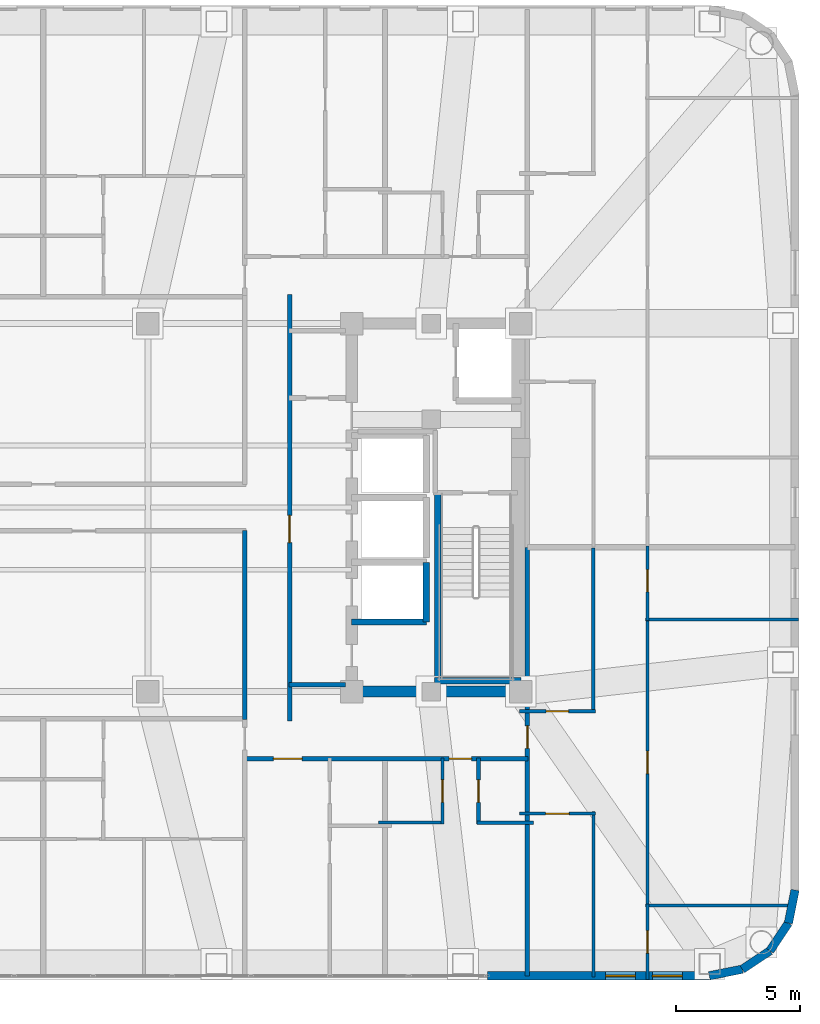
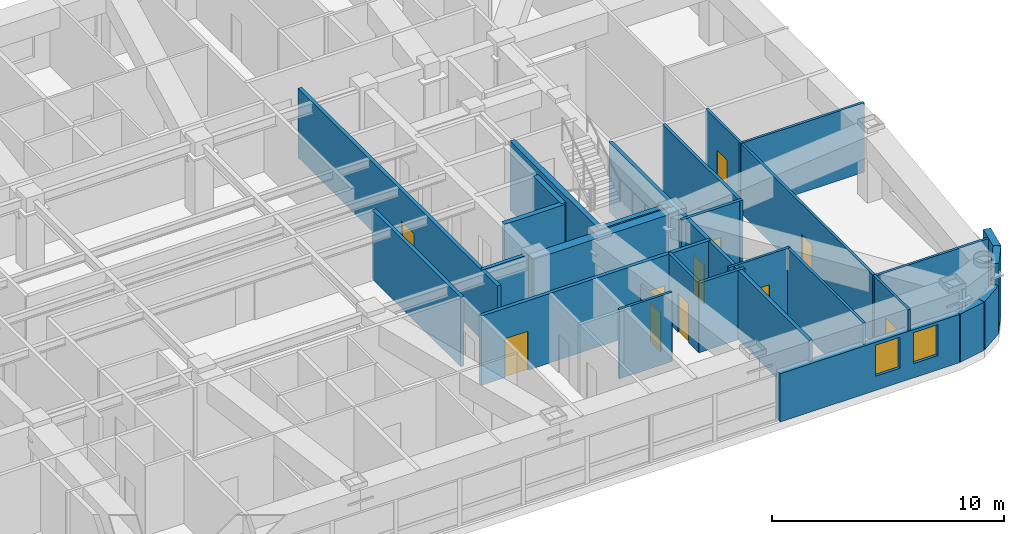
# One storey, part 11 of 16: 28 walls, 11 doors, 2 windows, 13 openings.
"""IFC4 building model written with IfcOpenShell, lengths in metres."""

from ifc_helpers import new_model, si_unit, direction, frame, frame_2d, origin, place, context, subcontext, project, spatial, rectangle, extrude, material, layer, layer_set, type_object, element, fill, save


model = new_model("IFC4")

# Units and contexts
model_context = context("Model", 3, precision=1e-05, world=origin(), true_north=direction((0.0, 1.0)))
body_context = subcontext(model_context, "Body", "Model", "MODEL_VIEW")
ifc_project = project(units=[si_unit("LENGTHUNIT", "METRE"), si_unit("AREAUNIT", "SQUARE_METRE"), si_unit("VOLUMEUNIT", "CUBIC_METRE"), si_unit("PLANEANGLEUNIT", "RADIAN"), si_unit("MASSUNIT", "GRAM", prefix="KILO")], contexts=[model_context])

# Site, building, storey
site_placement = place(None, origin())
site = spatial("IfcSite", under=ifc_project, at=site_placement, CompositionType="ELEMENT")
building_placement = place(site_placement, origin())
building = spatial("IfcBuilding", under=site, at=building_placement, Name="Voryun Gate Residences", CompositionType="ELEMENT")
storey_placement = place(building_placement, frame((0.0, 0.0, 200.199951171875)))
storey = spatial("IfcBuildingStorey", under=building, at=storey_placement, Name="L49", CompositionType="ELEMENT", Elevation=200.199951171875)

# Walls
ifc_material_1 = material(Name="Concrete C50/60", Category="concrete")
ifc_layer_1 = layer(ifc_material_1, 0.449951171875, Name="CW_CORE_450")
ifc_layer_set_1 = layer_set([ifc_layer_1], Name="Concrete C50/60")
wall_type_1 = type_object("IfcWallType", Name="CW_CORE_450", PredefinedType="SHEAR", material=ifc_layer_set_1)
wall_1_placement = place(storey_placement, frame((12.175048828125, -7.39990234375, 0.0), z_axis=(0.0, 0.0, 1.0), x_axis=(1.0, 0.0, 0.0)))
element("IfcWall", 1, at=wall_1_placement, inside=storey, type_object=wall_type_1, Name="L49 Core shear wall CW-L49-ES", PredefinedType="SHEAR", context=body_context, shape_type="SweptSolid", body=[
    extrude(rectangle(XDim=7.25, YDim=0.449951171875, at=frame_2d((3.625, 0.0))), origin(), (0.0, 0.0, 1.0), 3.650146484375),
])
ifc_material_2 = material(Name="Gypsum acoustic fireboard")
ifc_layer_2 = layer(ifc_material_2, 0.179931640625, Name="W_CORR_RATED_180")
ifc_layer_set_2 = layer_set([ifc_layer_2], Name="Gypsum acoustic fireboard")
wall_type_2 = type_object("IfcWallType", Name="W_CORR_RATED_180", PredefinedType="PARTITIONING", material=ifc_layer_set_2)
wall_2_placement = place(storey_placement, frame((9.8798828125, -7.1201171875, 0.0), z_axis=(0.0, 0.0, 1.0), x_axis=(1.0, 0.0, 0.0)))
element("IfcWall", 2, at=wall_2_placement, inside=storey, type_object=wall_type_2, Name="Partition wall WP-L49-PLBS-E", PredefinedType="PARTITIONING", context=body_context, shape_type="SweptSolid", body=[
    extrude(rectangle(XDim=2.27001953125, YDim=0.179931640625, at=frame_2d((1.135009765625, 0.0))), origin(), (0.0, 0.0, 1.0), 3.650146484375),
])

# Wall, opening, door
wall_3_placement = place(storey_placement, frame((9.89990234375, -8.580078125, 0.0), z_axis=(0.0, 0.0, 1.0), x_axis=(0.0, 1.0, 0.0)))
wall_3 = element("IfcWall", 3, at=wall_3_placement, inside=storey, type_object=wall_type_2, Name="Partition wall WP-L49-PLBE-FULL", PredefinedType="PARTITIONING", context=body_context, shape_type="SweptSolid", body=[
    extrude(rectangle(XDim=17.16015625, YDim=0.179931640625, at=frame_2d((8.580078125, 0.0))), origin(), (0.0, 0.0, 1.0), 3.650146484375),
])
opening_1_placement = place(wall_3_placement, frame((7.172119140625, 0.0, 0.0)))
opening_1 = element("IfcOpeningElement", 4, at=opening_1_placement, cuts=wall_3, Name="Opening D-FD60-2", PredefinedType="OPENING", context=body_context, shape_type="SweptSolid", body=[
    extrude(rectangle(XDim=1.10009765625, YDim=2.050048828125, at=frame_2d((0.550048828125, 1.02490234375))), frame((0.0, 0.099853515625, 0.0), z_axis=(0.0, -1.0, 0.0), x_axis=(1.0, 0.0, 0.0)), (0.0, 0.0, 1.0), 0.199951171875),
])
ifc_material_3 = material(Name="Painted steel fire door", Category="steel")
door_type_1 = type_object("IfcDoorType", Name="DR_FD60_FFLOB_1100", OperationType="NOTDEFINED", PredefinedType="DOOR", material=ifc_material_3)
door_1_placement = place(opening_1_placement, origin())
door_1 = element("IfcDoor", 5, at=door_1_placement, inside=storey, type_object=door_type_1, Name="Door DR-L49-PLBE-COR", OperationType="SINGLE_SWING_RIGHT", OverallHeight=2.050048828125, OverallWidth=1.10009765625, PredefinedType="DOOR", context=body_context, shape_type="SweptSolid", body=[
    extrude(rectangle(XDim=1.10009765625, YDim=2.050048828125, at=frame_2d((0.550048828125, 1.02490234375))), frame((0.0, 0.02490234375, 0.0), z_axis=(0.0, -1.0, 0.0), x_axis=(1.0, 0.0, 0.0)), (0.0, 0.0, 1.0), 0.050048828125),
])
fill(opening_1, door_1)

# Wall
wall_4_placement = place(storey_placement, frame((8.10009765625, -8.530029296875, 0.0), z_axis=(0.0, 0.0, 1.0), x_axis=(0.0, 1.0, 0.0)))
element("IfcWall", 6, at=wall_4_placement, inside=storey, type_object=wall_type_2, Name="Partition wall WP-L49-Z2ER2", PredefinedType="PARTITIONING", context=body_context, shape_type="SweptSolid", body=[
    extrude(rectangle(XDim=7.610107421875, YDim=0.179931640625, at=frame_2d((3.80517578125, 0.0))), origin(), (0.0, 0.0, 1.0), 3.650146484375),
])

# Wall, openings, doors
wall_5_placement = place(storey_placement, frame((8.080078125, -10.10009765625, 0.0), z_axis=(0.0, 0.0, 1.0), x_axis=(1.0, 0.0, 0.0)))
wall_5 = element("IfcWall", 7, at=wall_5_placement, inside=storey, type_object=wall_type_2, Name="Partition wall WP-L49-SCORR-E", PredefinedType="PARTITIONING", context=body_context, shape_type="SweptSolid", body=[
    extrude(rectangle(XDim=11.419921875, YDim=0.179931640625, at=frame_2d((5.7099609375, 0.0))), origin(), (0.0, 0.0, 1.0), 3.650146484375),
])
opening_2_placement = place(wall_5_placement, frame((1.174560546875, 0.0, 0.0)))
opening_2 = element("IfcOpeningElement", 8, at=opening_2_placement, cuts=wall_5, Name="Opening D-UNIT-1", PredefinedType="OPENING", context=body_context, shape_type="SweptSolid", body=[
    extrude(rectangle(XDim=1.14990234375, YDim=2.050048828125, at=frame_2d((0.574951171875, 1.02490234375))), frame((0.0, 0.099853515625, 0.0), z_axis=(0.0, -1.0, 0.0), x_axis=(1.0, 0.0, 0.0)), (0.0, 0.0, 1.0), 0.199951171875),
])
opening_3_placement = place(wall_5_placement, frame((8.242919921875, 0.0, 0.0)))
opening_3 = element("IfcOpeningElement", 9, at=opening_3_placement, cuts=wall_5, Name="Opening D-INT-2", PredefinedType="OPENING", context=body_context, shape_type="SweptSolid", body=[
    extrude(rectangle(XDim=0.89990234375, YDim=2.050048828125, at=frame_2d((0.449951171875, 1.02490234375))), frame((0.0, 0.099853515625, 0.0), z_axis=(0.0, -1.0, 0.0), x_axis=(1.0, 0.0, 0.0)), (0.0, 0.0, 1.0), 0.199951171875),
])
ifc_material_4 = material(Name="Architectural oak veneer")
door_type_2 = type_object("IfcDoorType", Name="DR_INT_BATH_900", OperationType="NOTDEFINED", PredefinedType="DOOR", material=ifc_material_4)
door_2_placement = place(opening_3_placement, origin())
door_2 = element("IfcDoor", 10, at=door_2_placement, inside=storey, type_object=door_type_2, Name="Door DR-L49-SENT-5", OperationType="SINGLE_SWING_RIGHT", OverallHeight=2.050048828125, OverallWidth=0.89990234375, PredefinedType="DOOR", context=body_context, shape_type="SweptSolid", body=[
    extrude(rectangle(XDim=0.89990234375, YDim=2.050048828125, at=frame_2d((0.449951171875, 1.02490234375))), frame((0.0, 0.02490234375, 0.0), z_axis=(0.0, -1.0, 0.0), x_axis=(1.0, 0.0, 0.0)), (0.0, 0.0, 1.0), 0.050048828125),
])
fill(opening_3, door_2)
ifc_material_5 = material(Name="Armoured timber-clad fire door", Category="wood")
door_type_3 = type_object("IfcDoorType", Name="DR_UNIT_ENTRY_1150", OperationType="NOTDEFINED", PredefinedType="DOOR", material=ifc_material_5)
door_3_placement = place(opening_2_placement, origin())
door_3 = element("IfcDoor", 11, at=door_3_placement, inside=storey, type_object=door_type_3, Name="Door DR-L49-SENT-4", OperationType="SINGLE_SWING_LEFT", OverallHeight=2.050048828125, OverallWidth=1.14990234375, PredefinedType="DOOR", context=body_context, shape_type="SweptSolid", body=[
    extrude(rectangle(XDim=1.14990234375, YDim=2.050048828125, at=frame_2d((0.574951171875, 1.02490234375))), frame((0.0, 0.02490234375, 0.0), z_axis=(0.0, -1.0, 0.0), x_axis=(1.0, 0.0, 0.0)), (0.0, 0.0, 1.0), 0.050048828125),
])
fill(opening_2, door_3)

# Wall, opening, door
wall_6_placement = place(storey_placement, frame((19.469970703125, -18.830078125, 0.0), z_axis=(0.0, 0.0, 1.0), x_axis=(0.0, 1.0, 0.0)))
wall_6 = element("IfcWall", 12, at=wall_6_placement, inside=storey, type_object=wall_type_2, Name="Partition wall WP-L49-ECOR1", PredefinedType="PARTITIONING", context=body_context, shape_type="SweptSolid", body=[
    extrude(rectangle(XDim=17.22998046875, YDim=0.179931640625, at=frame_2d((8.614990234375, 0.0))), origin(), (0.0, 0.0, 1.0), 3.650146484375),
])
opening_4_placement = place(wall_6_placement, frame((9.150634765625, 0.0, 0.0)))
opening_4 = element("IfcOpeningElement", 13, at=opening_4_placement, cuts=wall_6, Name="Opening D-INT-2", PredefinedType="OPENING", context=body_context, shape_type="SweptSolid", body=[
    extrude(rectangle(XDim=0.89990234375, YDim=2.050048828125, at=frame_2d((0.449951171875, 1.02490234375))), frame((0.0, 0.099853515625, 0.0), z_axis=(0.0, -1.0, 0.0), x_axis=(1.0, 0.0, 0.0)), (0.0, 0.0, 1.0), 0.199951171875),
])
door_4_placement = place(opening_4_placement, origin())
door_4 = element("IfcDoor", 14, at=door_4_placement, inside=storey, type_object=door_type_2, Name="Door DR-L49-EE1", OperationType="SINGLE_SWING_LEFT", OverallHeight=2.050048828125, OverallWidth=0.89990234375, PredefinedType="DOOR", context=body_context, shape_type="SweptSolid", body=[
    extrude(rectangle(XDim=0.89990234375, YDim=2.050048828125, at=frame_2d((0.449951171875, 1.02490234375))), frame((0.0, 0.02490234375, 0.0), z_axis=(0.0, -1.0, 0.0), x_axis=(1.0, 0.0, 0.0)), (0.0, 0.0, 1.0), 0.050048828125),
])
fill(opening_4, door_4)

# Wall, openings, windows
ifc_material_6 = material(Name="Charcoal terracotta masonry", Category="masonry")
ifc_layer_3 = layer(ifc_material_6, 0.340087890625, Name="W_EXT_TERRACOTTA_340")
ifc_layer_set_3 = layer_set([ifc_layer_3], Name="Charcoal terracotta masonry")
wall_type_3 = type_object("IfcWallType", Name="W_EXT_TERRACOTTA_340", PredefinedType="ELEMENTEDWALL", material=ifc_layer_set_3)
wall_7_placement = place(storey_placement, frame((26.783203125, -18.830078125, 0.0), z_axis=(0.0, 0.0, 1.0), x_axis=(-1.0, 0.0, 0.0)))
wall_7 = element("IfcWall", 15, at=wall_7_placement, inside=storey, type_object=wall_type_3, Name="Exterior wall WEXT-L49-01A", PredefinedType="ELEMENTEDWALL", context=body_context, shape_type="SweptSolid", body=[
    extrude(rectangle(XDim=8.921875, YDim=0.340087890625, at=frame_2d((4.4609375, 0.0))), origin(), (0.0, 0.0, 1.0), 2.5400390625),
])
opening_5_placement = place(wall_7_placement, frame((2.973388671875, 0.0, 0.75)))
opening_5 = element("IfcOpeningElement", 16, at=opening_5_placement, cuts=wall_7, Name="Opening WN6", PredefinedType="OPENING", context=body_context, shape_type="SweptSolid", body=[
    extrude(rectangle(XDim=1.199951171875, YDim=1.6298828125, at=frame_2d((0.60009765625, 0.81494140625))), frame((0.0, 0.179931640625, 0.0), z_axis=(0.0, -1.0, 0.0), x_axis=(1.0, 0.0, 0.0)), (0.0, 0.0, 1.0), 0.360107421875),
])
opening_6_placement = place(wall_7_placement, frame((1.086669921875, 0.0, 0.75)))
opening_6 = element("IfcOpeningElement", 17, at=opening_6_placement, cuts=wall_7, Name="Opening WN6", PredefinedType="OPENING", context=body_context, shape_type="SweptSolid", body=[
    extrude(rectangle(XDim=1.199951171875, YDim=1.6298828125, at=frame_2d((0.60009765625, 0.81494140625))), frame((0.0, 0.179931640625, 0.0), z_axis=(0.0, -1.0, 0.0), x_axis=(1.0, 0.0, 0.0)), (0.0, 0.0, 1.0), 0.360107421875),
])
ifc_material_7 = material(Name="Laminated low-E glass", Category="glass")
window_type = type_object("IfcWindowType", Name="WN_POD_SLOT_1200", PartitioningType="SINGLE_PANEL", PredefinedType="WINDOW", material=ifc_material_7)
window_1_placement = place(opening_5_placement, origin())
window_1 = element("IfcWindow", 18, at=window_1_placement, inside=storey, type_object=window_type, Name="Window WN-L49-DWFIX-11", OverallHeight=1.6298828125, OverallWidth=1.199951171875, PartitioningType="SINGLE_PANEL", PredefinedType="WINDOW", context=body_context, shape_type="SweptSolid", body=[
    extrude(rectangle(XDim=1.199951171875, YDim=1.6298828125, at=frame_2d((0.60009765625, 0.81494140625))), frame((0.0, 0.030029296875, 0.0), z_axis=(0.0, -1.0, 0.0), x_axis=(1.0, 0.0, 0.0)), (0.0, 0.0, 1.0), 0.06005859375),
])
fill(opening_5, window_1)
window_2_placement = place(opening_6_placement, origin())
window_2 = element("IfcWindow", 19, at=window_2_placement, inside=storey, type_object=window_type, Name="Window WN-L49-DWFIX-13", OverallHeight=1.6298828125, OverallWidth=1.199951171875, PartitioningType="SINGLE_PANEL", PredefinedType="WINDOW", context=body_context, shape_type="SweptSolid", body=[
    extrude(rectangle(XDim=1.199951171875, YDim=1.6298828125, at=frame_2d((0.60009765625, 0.81494140625))), frame((0.0, 0.030029296875, 0.0), z_axis=(0.0, -1.0, 0.0), x_axis=(1.0, 0.0, 0.0)), (0.0, 0.0, 1.0), 0.06005859375),
])
fill(opening_6, window_2)

# Walls
wall_8_placement = place(storey_placement, frame((30.22998046875, -15.38330078125, 0.0), z_axis=(0.0, 0.0, 1.0), x_axis=(-0.195110379894, -0.98078129043, 0.0)))
element("IfcWall", 20, at=wall_8_placement, inside=storey, type_object=wall_type_3, Name="Exterior wall WEXT-L49-17", PredefinedType="ELEMENTEDWALL", context=body_context, shape_type="SweptSolid", body=[
    extrude(rectangle(XDim=1.35400390625, YDim=0.340087890625, at=frame_2d((0.677001953125, 0.0))), origin(), (0.0, 0.0, 1.0), 3.650146484375),
])
wall_9_placement = place(storey_placement, frame((29.9658203125, -16.711181640625, 0.0), z_axis=(0.0, 0.0, 1.0), x_axis=(-0.555584683399, -0.831459956686, 0.0)))
element("IfcWall", 21, at=wall_9_placement, inside=storey, type_object=wall_type_3, Name="Exterior wall WEXT-L49-18", PredefinedType="ELEMENTEDWALL", context=body_context, shape_type="SweptSolid", body=[
    extrude(rectangle(XDim=1.337158203125, YDim=0.340087890625, at=frame_2d((0.66845703125, 0.0))), origin(), (0.0, 0.0, 1.0), 3.650146484375),
])
wall_10_placement = place(storey_placement, frame((29.222900390625, -17.822998046875, 0.0), z_axis=(0.0, 0.0, 1.0), x_axis=(-0.831403586725, -0.555669034571, 0.0)))
element("IfcWall", 22, at=wall_10_placement, inside=storey, type_object=wall_type_3, Name="Exterior wall WEXT-L49-19", PredefinedType="ELEMENTEDWALL", context=body_context, shape_type="SweptSolid", body=[
    extrude(rectangle(XDim=1.3369140625, YDim=0.340087890625, at=frame_2d((0.66845703125, 0.0))), origin(), (0.0, 0.0, 1.0), 2.5400390625),
])
wall_11_placement = place(storey_placement, frame((28.111328125, -18.56591796875, 0.0), z_axis=(0.0, 0.0, 1.0), x_axis=(-0.980788153188, -0.195075878998, 0.0)))
element("IfcWall", 23, at=wall_11_placement, inside=storey, type_object=wall_type_3, Name="Exterior wall WEXT-L49-20", PredefinedType="ELEMENTEDWALL", context=body_context, shape_type="SweptSolid", body=[
    extrude(rectangle(XDim=1.354248046875, YDim=0.340087890625, at=frame_2d((0.67724609375, 0.0))), origin(), (0.0, 0.0, 1.0), 2.5400390625),
])
ifc_material_8 = material(Name="Concrete C50/60", Category="concrete")
ifc_layer_4 = layer(ifc_material_8, 0.25, Name="W_SHAFT_RC250")
ifc_layer_set_4 = layer_set([ifc_layer_4], Name="Concrete C50/60")
wall_type_4 = type_object("IfcWallType", Name="W_SHAFT_RC250", PredefinedType="SOLIDWALL", material=ifc_layer_set_4)
wall_12_placement = place(storey_placement, frame((15.860107421875, -7.0849609375, 0.0), z_axis=(0.0, 0.0, 1.0), x_axis=(0.0, 1.0, 0.0)))
element("IfcWall", 24, at=wall_12_placement, inside=storey, type_object=wall_type_4, Name="L49 Stair shaft structural wall E-STL", PredefinedType="SOLIDWALL", context=body_context, shape_type="SweptSolid", body=[
    extrude(rectangle(XDim=7.68505859375, YDim=0.25, at=frame_2d((3.842529296875, 0.0))), origin(), (0.0, 0.0, 1.0), 3.650146484375),
])
wall_13_placement = place(storey_placement, frame((15.739990234375, -6.965087890625, 0.0), z_axis=(0.0, 0.0, 1.0), x_axis=(1.0, 0.0, 0.0)))
element("IfcWall", 25, at=wall_13_placement, inside=storey, type_object=wall_type_4, Name="L49 Stair shaft structural wall E-STS", PredefinedType="SOLIDWALL", context=body_context, shape_type="SweptSolid", body=[
    extrude(rectangle(XDim=3.4599609375, YDim=0.25, at=frame_2d((1.72998046875, 0.0))), origin(), (0.0, 0.0, 1.0), 3.650146484375),
])
wall_14_placement = place(storey_placement, frame((12.39990234375, -4.60009765625, 0.0), z_axis=(0.0, 0.0, 1.0), x_axis=(1.0, 0.0, 0.0)))
element("IfcWall", 26, at=wall_14_placement, inside=storey, type_object=wall_type_4, Name="Lift shaft wall WSH-L49-EL-P5-S", PredefinedType="SOLIDWALL", context=body_context, shape_type="SweptSolid", body=[
    extrude(rectangle(XDim=3.0, YDim=0.25, at=frame_2d((1.5, 0.0))), origin(), (0.0, 0.0, 1.0), 3.650146484375),
])
wall_15_placement = place(storey_placement, frame((15.39990234375, -4.60009765625, 0.0), z_axis=(0.0, 0.0, 1.0), x_axis=(0.0, 1.0, 0.0)))
element("IfcWall", 27, at=wall_15_placement, inside=storey, type_object=wall_type_4, Name="Lift shaft wall WSH-L49-EL-P5-E", PredefinedType="SOLIDWALL", context=body_context, shape_type="SweptSolid", body=[
    extrude(rectangle(XDim=2.400146484375, YDim=0.25, at=frame_2d((1.2001953125, 0.0))), origin(), (0.0, 0.0, 1.0), 3.650146484375),
])

# Wall, opening, door
ifc_material_9 = material(Name="Gypsum acoustic partition")
ifc_layer_5 = layer(ifc_material_9, 0.125, Name="W_UNIT_PART_125")
ifc_layer_set_5 = layer_set([ifc_layer_5], Name="Gypsum acoustic partition")
wall_type_5 = type_object("IfcWallType", Name="W_UNIT_PART_125", PredefinedType="PARTITIONING", material=ifc_layer_set_5)
wall_16_placement = place(storey_placement, frame((16.050048828125, -12.72998046875, 0.0), z_axis=(0.0, 0.0, 1.0), x_axis=(0.0, 1.0, 0.0)))
wall_16 = element("IfcWall", 28, at=wall_16_placement, inside=storey, type_object=wall_type_5, Name="Partition wall WP-L49-S5-CVK", PredefinedType="PARTITIONING", context=body_context, shape_type="SweptSolid", body=[
    extrude(rectangle(XDim=2.64990234375, YDim=0.125, at=frame_2d((1.324951171875, 0.0))), origin(), (0.0, 0.0, 1.0), 2.5400390625),
])
opening_7_placement = place(wall_16_placement, frame((0.875, 0.0, 0.0)))
opening_7 = element("IfcOpeningElement", 29, at=opening_7_placement, cuts=wall_16, Name="Opening D-INT-2", PredefinedType="OPENING", context=body_context, shape_type="SweptSolid", body=[
    extrude(rectangle(XDim=0.89990234375, YDim=2.050048828125, at=frame_2d((0.449951171875, 1.02490234375))), frame((0.0, 0.072509765625, 0.0), z_axis=(0.0, -1.0, 0.0), x_axis=(1.0, 0.0, 0.0)), (0.0, 0.0, 1.0), 0.14501953125),
])
door_5_placement = place(opening_7_placement, origin())
door_5 = element("IfcDoor", 30, at=door_5_placement, inside=storey, type_object=door_type_2, Name="Door DR-L49-S5-DK", OperationType="SINGLE_SWING_LEFT", OverallHeight=2.050048828125, OverallWidth=0.89990234375, PredefinedType="DOOR", context=body_context, shape_type="SweptSolid", body=[
    extrude(rectangle(XDim=0.89990234375, YDim=2.050048828125, at=frame_2d((0.449951171875, 1.02490234375))), frame((0.0, 0.02490234375, 0.0), z_axis=(0.0, -1.0, 0.0), x_axis=(1.0, 0.0, 0.0)), (0.0, 0.0, 1.0), 0.050048828125),
])
fill(opening_7, door_5)

# Walls
wall_17_placement = place(storey_placement, frame((13.47998046875, -12.669921875, 0.0), z_axis=(0.0, 0.0, 1.0), x_axis=(1.0, 0.0, 0.0)))
element("IfcWall", 31, at=wall_17_placement, inside=storey, type_object=wall_type_5, Name="Partition wall WP-L49-S5-CHK", PredefinedType="PARTITIONING", context=body_context, shape_type="SweptSolid", body=[
    extrude(rectangle(XDim=2.630126953125, YDim=0.125, at=frame_2d((1.31494140625, 0.0))), origin(), (0.0, 0.0, 1.0), 3.650146484375),
])
wall_18_placement = place(storey_placement, frame((24.219970703125, -16.0029296875, 0.0), z_axis=(0.0, 0.0, 1.0), x_axis=(1.0, 0.0, 0.0)))
element("IfcWall", 32, at=wall_18_placement, inside=storey, type_object=wall_type_5, Name="Partition wall WP-L49-E1-OH1", PredefinedType="PARTITIONING", context=body_context, shape_type="SweptSolid", body=[
    extrude(rectangle(XDim=6.039794921875, YDim=0.125, at=frame_2d((3.02001953125, 0.0))), origin(), (0.0, 0.0, 1.0), 3.650146484375),
])
wall_19_placement = place(storey_placement, frame((24.219970703125, -4.493896484375, 0.0), z_axis=(0.0, 0.0, 1.0), x_axis=(1.0, 0.0, 0.0)))
element("IfcWall", 33, at=wall_19_placement, inside=storey, type_object=wall_type_5, Name="Partition wall WP-L49-E1-OH2", PredefinedType="PARTITIONING", context=body_context, shape_type="SweptSolid", body=[
    extrude(rectangle(XDim=6.159912109375, YDim=0.125, at=frame_2d((3.080078125, 0.0))), origin(), (0.0, 0.0, 1.0), 3.650146484375),
])

# Wall, opening, door
wall_20_placement = place(storey_placement, frame((24.300048828125, -18.97998046875, 0.0), z_axis=(0.0, 0.0, 1.0), x_axis=(0.0, 1.0, 0.0)))
wall_20 = element("IfcWall", 34, at=wall_20_placement, inside=storey, type_object=wall_type_5, Name="Partition wall WP-L49-E1-OVX1", PredefinedType="PARTITIONING", context=body_context, shape_type="SweptSolid", body=[
    extrude(rectangle(XDim=3.027099609375, YDim=0.125, at=frame_2d((1.513671875, 0.0))), origin(), (0.0, 0.0, 1.0), 3.650146484375),
])
opening_8_placement = place(wall_20_placement, frame((1.0634765625, 0.0, 0.0)))
opening_8 = element("IfcOpeningElement", 35, at=opening_8_placement, cuts=wall_20, Name="Opening D-INT-2", PredefinedType="OPENING", context=body_context, shape_type="SweptSolid", body=[
    extrude(rectangle(XDim=0.89990234375, YDim=2.050048828125, at=frame_2d((0.449951171875, 1.02490234375))), frame((0.0, 0.072509765625, 0.0), z_axis=(0.0, -1.0, 0.0), x_axis=(1.0, 0.0, 0.0)), (0.0, 0.0, 1.0), 0.14501953125),
])
door_6_placement = place(opening_8_placement, origin())
door_6 = element("IfcDoor", 36, at=door_6_placement, inside=storey, type_object=door_type_2, Name="Door DR-L49-E1-DBD2", OperationType="SINGLE_SWING_LEFT", OverallHeight=2.050048828125, OverallWidth=0.89990234375, PredefinedType="DOOR", context=body_context, shape_type="SweptSolid", body=[
    extrude(rectangle(XDim=0.89990234375, YDim=2.050048828125, at=frame_2d((0.449951171875, 1.02490234375))), frame((0.0, 0.02490234375, 0.0), z_axis=(0.0, -1.0, 0.0), x_axis=(1.0, 0.0, 0.0)), (0.0, 0.0, 1.0), 0.050048828125),
])
fill(opening_8, door_6)

wall_21_placement = place(storey_placement, frame((24.300048828125, -16.052978515625, 0.0), z_axis=(0.0, 0.0, 1.0), x_axis=(0.0, 1.0, 0.0)))
wall_21 = element("IfcWall", 37, at=wall_21_placement, inside=storey, type_object=wall_type_5, Name="Partition wall WP-L49-E1-OVX2", PredefinedType="PARTITIONING", context=body_context, shape_type="SweptSolid", body=[
    extrude(rectangle(XDim=11.60888671875, YDim=0.125, at=frame_2d((5.804443359375, 0.0))), origin(), (0.0, 0.0, 1.0), 3.650146484375),
])
opening_9_placement = place(wall_21_placement, frame((5.3544921875, 0.0, 0.0)))
opening_9 = element("IfcOpeningElement", 38, at=opening_9_placement, cuts=wall_21, Name="Opening D-INT-2", PredefinedType="OPENING", context=body_context, shape_type="SweptSolid", body=[
    extrude(rectangle(XDim=0.89990234375, YDim=2.050048828125, at=frame_2d((0.449951171875, 1.02490234375))), frame((0.0, 0.072509765625, 0.0), z_axis=(0.0, -1.0, 0.0), x_axis=(1.0, 0.0, 0.0)), (0.0, 0.0, 1.0), 0.14501953125),
])
door_7_placement = place(opening_9_placement, origin())
door_7 = element("IfcDoor", 39, at=door_7_placement, inside=storey, type_object=door_type_2, Name="Door DR-L49-E1-DSTD", OperationType="SINGLE_SWING_RIGHT", OverallHeight=2.050048828125, OverallWidth=0.89990234375, PredefinedType="DOOR", context=body_context, shape_type="SweptSolid", body=[
    extrude(rectangle(XDim=0.89990234375, YDim=2.050048828125, at=frame_2d((0.449951171875, 1.02490234375))), frame((0.0, 0.02490234375, 0.0), z_axis=(0.0, -1.0, 0.0), x_axis=(1.0, 0.0, 0.0)), (0.0, 0.0, 1.0), 0.050048828125),
])
fill(opening_9, door_7)

wall_22_placement = place(storey_placement, frame((24.300048828125, -4.5439453125, 0.0), z_axis=(0.0, 0.0, 1.0), x_axis=(0.0, 1.0, 0.0)))
wall_22 = element("IfcWall", 40, at=wall_22_placement, inside=storey, type_object=wall_type_5, Name="Partition wall WP-L49-E1-OVX3", PredefinedType="PARTITIONING", context=body_context, shape_type="SweptSolid", body=[
    extrude(rectangle(XDim=3.00634765625, YDim=0.125, at=frame_2d((1.503173828125, 0.0))), origin(), (0.0, 0.0, 1.0), 3.650146484375),
])
opening_10_placement = place(wall_22_placement, frame((1.152099609375, 0.0, 0.0)))
opening_10 = element("IfcOpeningElement", 41, at=opening_10_placement, cuts=wall_22, Name="Opening D-INT-2", PredefinedType="OPENING", context=body_context, shape_type="SweptSolid", body=[
    extrude(rectangle(XDim=0.89990234375, YDim=2.050048828125, at=frame_2d((0.449951171875, 1.02490234375))), frame((0.0, 0.072509765625, 0.0), z_axis=(0.0, -1.0, 0.0), x_axis=(1.0, 0.0, 0.0)), (0.0, 0.0, 1.0), 0.14501953125),
])
door_8_placement = place(opening_10_placement, origin())
door_8 = element("IfcDoor", 42, at=door_8_placement, inside=storey, type_object=door_type_2, Name="Door DR-L49-E1-DMB", OperationType="SINGLE_SWING_LEFT", OverallHeight=2.050048828125, OverallWidth=0.89990234375, PredefinedType="DOOR", context=body_context, shape_type="SweptSolid", body=[
    extrude(rectangle(XDim=0.89990234375, YDim=2.050048828125, at=frame_2d((0.449951171875, 1.02490234375))), frame((0.0, 0.02490234375, 0.0), z_axis=(0.0, -1.0, 0.0), x_axis=(1.0, 0.0, 0.0)), (0.0, 0.0, 1.0), 0.050048828125),
])
fill(opening_10, door_8)

wall_23_placement = place(storey_placement, frame((19.14990234375, -12.31005859375, 0.0), z_axis=(0.0, 0.0, 1.0), x_axis=(1.0, 0.0, 0.0)))
wall_23 = element("IfcWall", 43, at=wall_23_placement, inside=storey, type_object=wall_type_5, Name="Partition wall WP-L49-E1-IKA", PredefinedType="PARTITIONING", context=body_context, shape_type="SweptSolid", body=[
    extrude(rectangle(XDim=3.050048828125, YDim=0.125, at=frame_2d((1.52490234375, 0.0))), origin(), (0.0, 0.0, 1.0), 3.650146484375),
])
opening_11_placement = place(wall_23_placement, frame((1.050048828125, 0.0, 0.0)))
opening_11 = element("IfcOpeningElement", 44, at=opening_11_placement, cuts=wall_23, Name="Opening D-INT-1", PredefinedType="OPENING", context=body_context, shape_type="SweptSolid", body=[
    extrude(rectangle(XDim=0.949951171875, YDim=2.050048828125, at=frame_2d((0.47509765625, 1.02490234375))), frame((0.0, 0.072509765625, 0.0), z_axis=(0.0, -1.0, 0.0), x_axis=(1.0, 0.0, 0.0)), (0.0, 0.0, 1.0), 0.14501953125),
])
ifc_material_10 = material(Name="Architectural oak veneer")
door_type_4 = type_object("IfcDoorType", Name="DR_INT_ROOM_950", OperationType="NOTDEFINED", PredefinedType="DOOR", material=ifc_material_10)
door_9_placement = place(opening_11_placement, origin())
door_9 = element("IfcDoor", 45, at=door_9_placement, inside=storey, type_object=door_type_4, Name="Door DR-L49-E1-DK", OperationType="SINGLE_SWING_LEFT", OverallHeight=2.050048828125, OverallWidth=0.949951171875, PredefinedType="DOOR", context=body_context, shape_type="SweptSolid", body=[
    extrude(rectangle(XDim=0.949951171875, YDim=2.050048828125, at=frame_2d((0.47509765625, 1.02490234375))), frame((0.0, 0.02490234375, 0.0), z_axis=(0.0, -1.0, 0.0), x_axis=(1.0, 0.0, 0.0)), (0.0, 0.0, 1.0), 0.050048828125),
])
fill(opening_11, door_9)

# Wall
wall_24_placement = place(storey_placement, frame((22.1201171875, -18.876708984375, 0.0), z_axis=(0.0, 0.0, 1.0), x_axis=(0.0, 1.0, 0.0)))
element("IfcWall", 46, at=wall_24_placement, inside=storey, type_object=wall_type_5, Name="Partition wall WP-L49-E1-VTA", PredefinedType="PARTITIONING", context=body_context, shape_type="SweptSolid", body=[
    extrude(rectangle(XDim=6.646728515625, YDim=0.125, at=frame_2d((3.3232421875, 0.0))), origin(), (0.0, 0.0, 1.0), 3.650146484375),
])

# Wall, opening, door
ifc_material_11 = material(Name="Gypsum moisture-resistant partition")
ifc_layer_6 = layer(ifc_material_11, 0.14990234375, Name="W_WET_PLUMB_150")
ifc_layer_set_6 = layer_set([ifc_layer_6], Name="Gypsum moisture-resistant partition")
wall_type_6 = type_object("IfcWallType", Name="W_WET_PLUMB_150", PredefinedType="PLUMBINGWALL", material=ifc_layer_set_6)
wall_25_placement = place(storey_placement, frame((17.49609375, -12.72998046875, 0.0), z_axis=(0.0, 0.0, 1.0), x_axis=(0.0, 1.0, 0.0)))
wall_25 = element("IfcWall", 47, at=wall_25_placement, inside=storey, type_object=wall_type_6, Name="Partition wall WP-L49-S5-CVB", PredefinedType="PLUMBINGWALL", context=body_context, shape_type="SweptSolid", body=[
    extrude(rectangle(XDim=2.64990234375, YDim=0.14990234375, at=frame_2d((1.324951171875, 0.0))), origin(), (0.0, 0.0, 1.0), 3.650146484375),
])
opening_12_placement = place(wall_25_placement, frame((0.875, 0.0, 0.0)))
opening_12 = element("IfcOpeningElement", 48, at=opening_12_placement, cuts=wall_25, Name="Opening D-INT-2", PredefinedType="OPENING", context=body_context, shape_type="SweptSolid", body=[
    extrude(rectangle(XDim=0.89990234375, YDim=2.050048828125, at=frame_2d((0.449951171875, 1.02490234375))), frame((0.0, 0.0849609375, 0.0), z_axis=(0.0, -1.0, 0.0), x_axis=(1.0, 0.0, 0.0)), (0.0, 0.0, 1.0), 0.169921875),
])
door_10_placement = place(opening_12_placement, origin())
door_10 = element("IfcDoor", 49, at=door_10_placement, inside=storey, type_object=door_type_2, Name="Door DR-L49-S5-DB", OperationType="SINGLE_SWING_RIGHT", OverallHeight=2.050048828125, OverallWidth=0.89990234375, PredefinedType="DOOR", context=body_context, shape_type="SweptSolid", body=[
    extrude(rectangle(XDim=0.89990234375, YDim=2.050048828125, at=frame_2d((0.449951171875, 1.02490234375))), frame((0.0, 0.02490234375, 0.0), z_axis=(0.0, -1.0, 0.0), x_axis=(1.0, 0.0, 0.0)), (0.0, 0.0, 1.0), 0.050048828125),
])
fill(opening_12, door_10)

# Wall
wall_26_placement = place(storey_placement, frame((17.43603515625, -12.669921875, 0.0), z_axis=(0.0, 0.0, 1.0), x_axis=(1.0, 0.0, 0.0)))
element("IfcWall", 50, at=wall_26_placement, inside=storey, type_object=wall_type_6, Name="Partition wall WP-L49-S5-CHB", PredefinedType="PLUMBINGWALL", context=body_context, shape_type="SweptSolid", body=[
    extrude(rectangle(XDim=2.283935546875, YDim=0.14990234375, at=frame_2d((1.14208984375, 0.0))), origin(), (0.0, 0.0, 1.0), 3.650146484375),
])

# Wall, opening, door
wall_27_placement = place(storey_placement, frame((19.14990234375, -8.18701171875, 0.0), z_axis=(0.0, 0.0, 1.0), x_axis=(1.0, 0.0, 0.0)))
wall_27 = element("IfcWall", 51, at=wall_27_placement, inside=storey, type_object=wall_type_6, Name="Partition wall WP-L49-E1-IBB", PredefinedType="PLUMBINGWALL", context=body_context, shape_type="SweptSolid", body=[
    extrude(rectangle(XDim=3.050048828125, YDim=0.14990234375, at=frame_2d((1.52490234375, 0.0))), origin(), (0.0, 0.0, 1.0), 3.650146484375),
])
opening_13_placement = place(wall_27_placement, frame((1.074951171875, 0.0, 0.0)))
opening_13 = element("IfcOpeningElement", 52, at=opening_13_placement, cuts=wall_27, Name="Opening D-INT-2", PredefinedType="OPENING", context=body_context, shape_type="SweptSolid", body=[
    extrude(rectangle(XDim=0.89990234375, YDim=2.050048828125, at=frame_2d((0.449951171875, 1.02490234375))), frame((0.0, 0.0849609375, 0.0), z_axis=(0.0, -1.0, 0.0), x_axis=(1.0, 0.0, 0.0)), (0.0, 0.0, 1.0), 0.169921875),
])
door_11_placement = place(opening_13_placement, origin())
door_11 = element("IfcDoor", 53, at=door_11_placement, inside=storey, type_object=door_type_2, Name="Door DR-L49-E1-DB", OperationType="SINGLE_SWING_RIGHT", OverallHeight=2.050048828125, OverallWidth=0.89990234375, PredefinedType="DOOR", context=body_context, shape_type="SweptSolid", body=[
    extrude(rectangle(XDim=0.89990234375, YDim=2.050048828125, at=frame_2d((0.449951171875, 1.02490234375))), frame((0.0, 0.02490234375, 0.0), z_axis=(0.0, -1.0, 0.0), x_axis=(1.0, 0.0, 0.0)), (0.0, 0.0, 1.0), 0.050048828125),
])
fill(opening_13, door_11)

# Wall
wall_28_placement = place(storey_placement, frame((22.1201171875, -8.26708984375, 0.0), z_axis=(0.0, 0.0, 1.0), x_axis=(0.0, 1.0, 0.0)))
element("IfcWall", 54, at=wall_28_placement, inside=storey, type_object=wall_type_6, Name="Partition wall WP-L49-E1-VTB", PredefinedType="PLUMBINGWALL", context=body_context, shape_type="SweptSolid", body=[
    extrude(rectangle(XDim=6.64697265625, YDim=0.14990234375, at=frame_2d((3.323486328125, 0.0))), origin(), (0.0, 0.0, 1.0), 3.650146484375),
])

save(model, "model.ifc")
